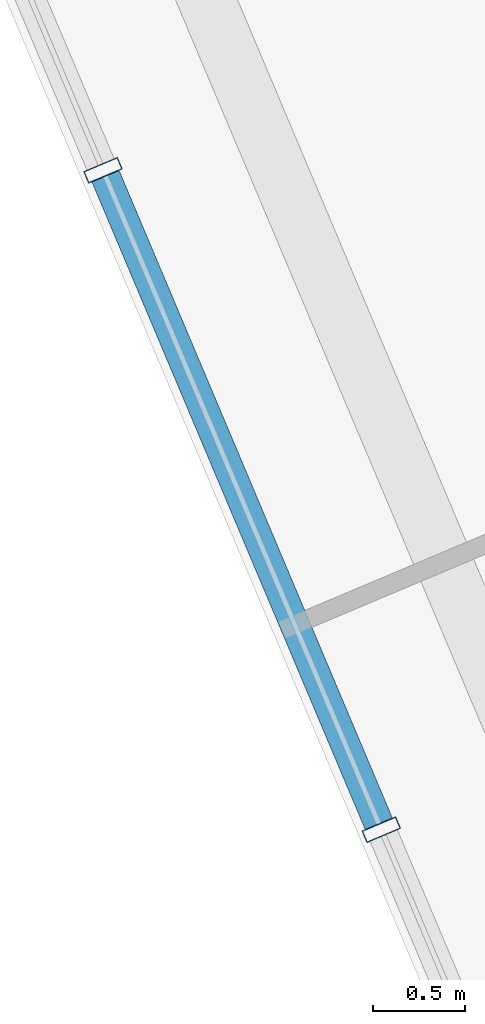
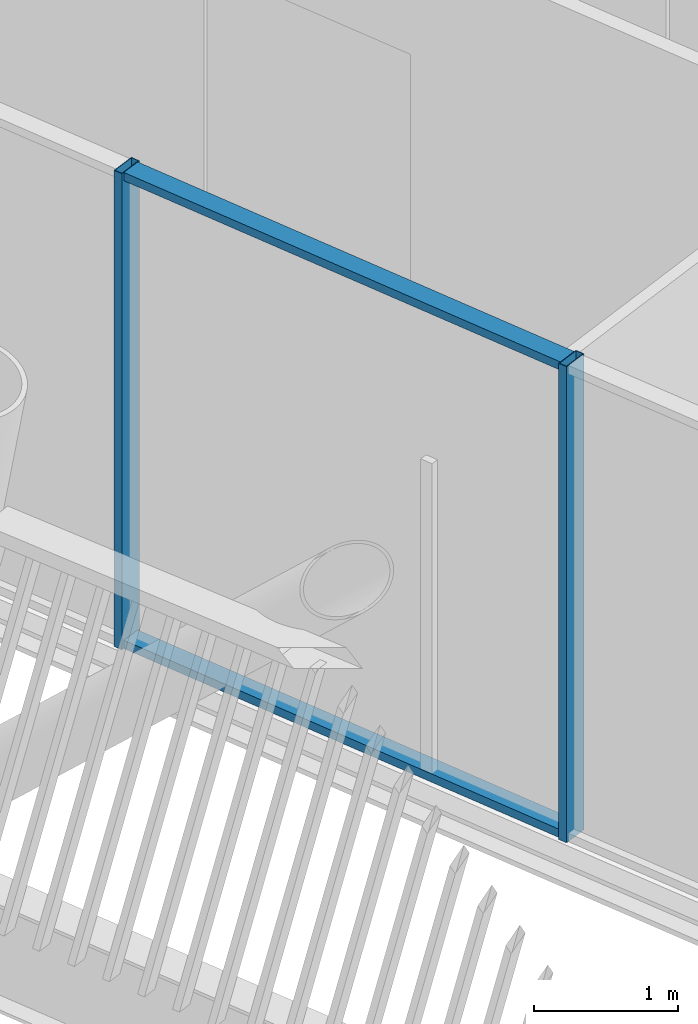
# One storey, part 4 of 35: 4 members, 1 element without a shape of its own.
"""IFC4 building model written with IfcOpenShell, lengths in metres."""

from ifc_helpers import new_model, si_unit, direction, frame, origin, origin_2d, place, context, subcontext, project, spatial, hollow_rectangle, extrude, material, layer, layer_set, material_profile, profile_set, type_object, element, aggregate, save


model = new_model("IFC4")

# Units and contexts
model_context = context("Model", 3, precision=1e-05, world=origin(), true_north=direction((0.0, 1.0)))
body_context = subcontext(model_context, "Body", "Model", "MODEL_VIEW")
ifc_project = project(units=[si_unit("LENGTHUNIT", "METRE"), si_unit("AREAUNIT", "SQUARE_METRE"), si_unit("VOLUMEUNIT", "CUBIC_METRE"), si_unit("PLANEANGLEUNIT", "RADIAN"), si_unit("MASSUNIT", "GRAM", prefix="KILO")], contexts=[model_context])

# Site, building, storey
site_placement = place(None, origin())
site = spatial("IfcSite", under=ifc_project, at=site_placement, CompositionType="ELEMENT")
building_placement = place(site_placement, origin())
building = spatial("IfcBuilding", under=site, at=building_placement, Name="Tarsis Ring Headquarters", CompositionType="ELEMENT")
storey_placement = place(building_placement, frame((0.0, 0.0, 377.60009765625)))
storey = spatial("IfcBuildingStorey", under=building, at=storey_placement, Name="L89", CompositionType="ELEMENT", Elevation=377.60009765625)

# Curtain wall, members
ifc_material_1 = material(Name="Aluminium curtain wall", Category="aluminium")
ifc_layer = layer(ifc_material_1, 0.199951171875)
ifc_layer_set = layer_set([ifc_layer], Name="Curtain wall executive tip")
curtain_wall_type = type_object("IfcCurtainWallType", Name="Curtain wall executive tip", PredefinedType="NOTDEFINED", material=ifc_layer_set)
curtain_wall_placement = place(storey_placement, origin())
curtain_wall = element("IfcCurtainWall", 1, at=curtain_wall_placement, inside=storey, type_object=curtain_wall_type, Name="Curtain wall L89-36", PredefinedType="NOTDEFINED")
ifc_material_2 = material(Name="Aluminium mullion", Category="aluminium")
ifc_material_profile_1 = material_profile(ifc_material_2, hollow_rectangle(XDim=0.199951171875, YDim=0.070068359375, WallThickness=0.0048828125, at=origin_2d()), Name="RHS 200x70x5")
ifc_profile_set_1 = profile_set([ifc_material_profile_1], Name="Aluminium mullion")
member_type_1 = type_object("IfcMemberType", Name="Curtain wall mullion executive tip RHS 200x70x5", PredefinedType="MULLION", material=ifc_profile_set_1)
member_1_placement = place(storey_placement, frame((-36.73779296875, -15.50341796875, 0.0), z_axis=(0.0, 0.0, 1.0), x_axis=(0.921321171215, 0.388802391289, 0.0)))
member_1 = element("IfcMember", 2, at=member_1_placement, type_object=member_type_1, Name="CW-E mullion 3", PredefinedType="MULLION", context=body_context, shape_type="SweptSolid", body=[
    extrude(hollow_rectangle(XDim=0.199951171875, YDim=0.070068359375, WallThickness=0.0048828125, at=origin_2d()), origin(), (0.0, 0.0, 1.0), 4.039794921875),
])
member_2_placement = place(storey_placement, frame((-35.23095703125, -19.07373046875, 0.0), z_axis=(0.0, 0.0, 1.0), x_axis=(0.921321171215, 0.388802391289, 0.0)))
member_2 = element("IfcMember", 3, at=member_2_placement, type_object=member_type_1, Name="CW-E mullion 4", PredefinedType="MULLION", context=body_context, shape_type="SweptSolid", body=[
    extrude(hollow_rectangle(XDim=0.199951171875, YDim=0.070068359375, WallThickness=0.0048828125, at=origin_2d()), origin(), (0.0, 0.0, 1.0), 4.039794921875),
])
ifc_material_3 = material(Name="Aluminium transom", Category="aluminium")
ifc_material_profile_2 = material_profile(ifc_material_3, hollow_rectangle(XDim=0.159912109375, YDim=0.070068359375, WallThickness=0.0048828125, at=origin_2d()), Name="RHS 160x70x5")
ifc_profile_set_2 = profile_set([ifc_material_profile_2], Name="Aluminium transom")
member_type_2 = type_object("IfcMemberType", Name="Curtain wall transom executive tip RHS 160x70x5", PredefinedType="USERDEFINED", material=ifc_profile_set_2)
member_3_placement = place(storey_placement, frame((-36.72412109375, -15.53564453125, 0.034912109375), z_axis=(0.388825608999, -0.921311372874, 0.0), x_axis=(0.921311372874, 0.388825608999, 0.0)))
member_3 = element("IfcMember", 4, at=member_3_placement, type_object=member_type_2, Name="CW-E transom 3.1", ObjectType="TRANSOM", PredefinedType="USERDEFINED", context=body_context, shape_type="SweptSolid", body=[
    extrude(hollow_rectangle(XDim=0.159912109375, YDim=0.070068359375, WallThickness=0.0048828125, at=origin_2d()), origin(), (0.0, 0.0, 1.0), 3.804931640625),
])
member_4_placement = place(storey_placement, frame((-36.72412109375, -15.53564453125, 4.0048828125), z_axis=(0.388825608999, -0.921311372874, 0.0), x_axis=(0.921311372874, 0.388825608999, 0.0)))
member_4 = element("IfcMember", 5, at=member_4_placement, type_object=member_type_2, Name="CW-E transom 3.2", ObjectType="TRANSOM", PredefinedType="USERDEFINED", context=body_context, shape_type="SweptSolid", body=[
    extrude(hollow_rectangle(XDim=0.159912109375, YDim=0.070068359375, WallThickness=0.0048828125, at=origin_2d()), origin(), (0.0, 0.0, 1.0), 3.804931640625),
])
aggregate(curtain_wall, [member_1, member_2, member_3, member_4])

save(model, "model.ifc")
